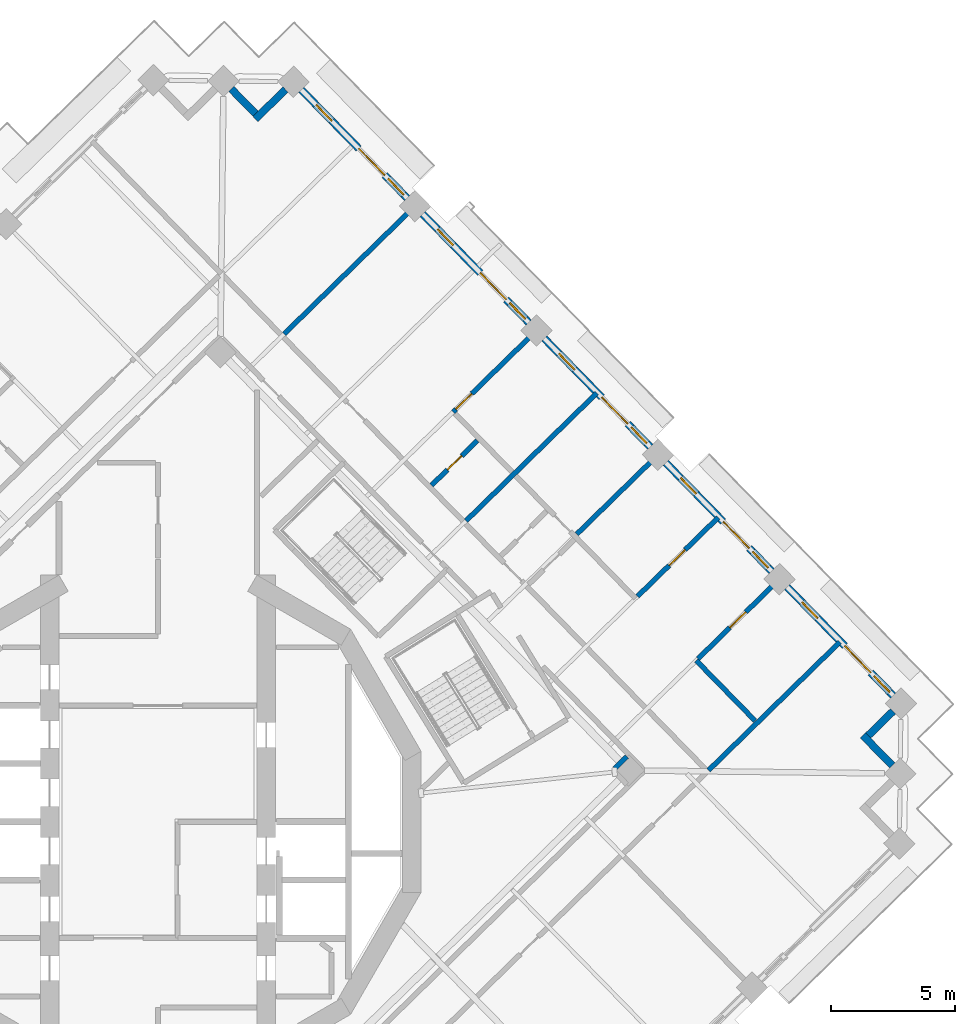
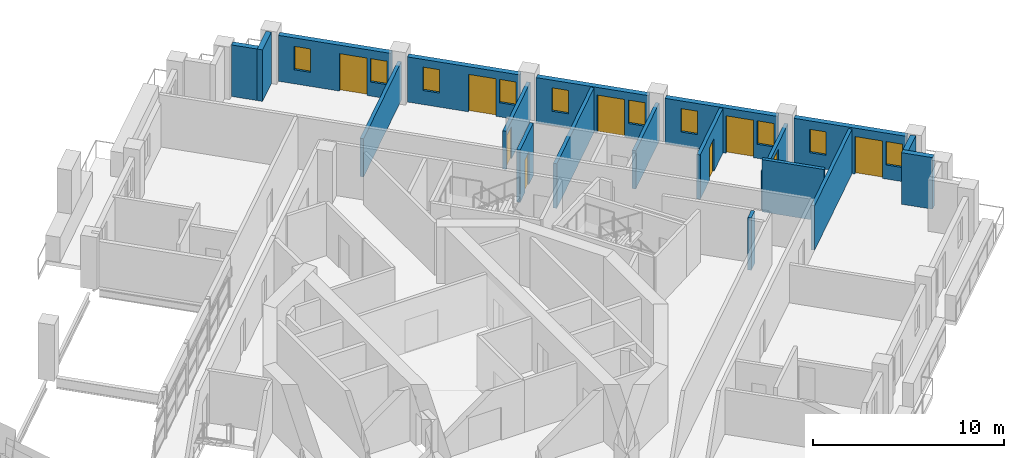
# One storey, part 13 of 21: 19 walls, 10 windows, 9 doors, 19 openings.
"""IFC4 building model written with IfcOpenShell, lengths in metres."""

from ifc_helpers import new_model, si_unit, direction, frame, frame_2d, origin, place, context, subcontext, project, spatial, rectangle, extrude, material, layer, layer_set, type_object, element, fill, save


model = new_model("IFC4")

# Units and contexts
model_context = context("Model", 3, precision=1e-05, world=origin(), true_north=direction((0.0, 1.0)))
body_context = subcontext(model_context, "Body", "Model", "MODEL_VIEW")
ifc_project = project(units=[si_unit("LENGTHUNIT", "METRE"), si_unit("AREAUNIT", "SQUARE_METRE"), si_unit("VOLUMEUNIT", "CUBIC_METRE"), si_unit("PLANEANGLEUNIT", "RADIAN"), si_unit("MASSUNIT", "GRAM", prefix="KILO")], contexts=[model_context])

# Site, building, storey
site_placement = place(None, origin())
site = spatial("IfcSite", under=ifc_project, at=site_placement, CompositionType="ELEMENT")
building_placement = place(site_placement, origin())
building = spatial("IfcBuilding", under=site, at=building_placement, Name="Cantera Rosa Tower", CompositionType="ELEMENT")
storey_placement = place(building_placement, frame((0.0, 0.0, 234.199951171875)))
storey = spatial("IfcBuildingStorey", under=building, at=storey_placement, Name="L51", CompositionType="ELEMENT", Elevation=234.199951171875)

# Walls
ifc_material_1 = material(Name="Hollow clay masonry with cantera stone cladding", Category="masonry")
ifc_layer_1 = layer(ifc_material_1, 0.300048828125)
ifc_layer_set_1 = layer_set([ifc_layer_1], Name="EW-LOGGIA 300")
wall_type_1 = type_object("IfcWallType", Name="EW-LOGGIA 300", PredefinedType="SOLIDWALL", material=ifc_layer_set_1)
wall_1_placement = place(storey_placement, frame((5.15283203125, 29.56982421875, 0.0), z_axis=(0.0, 0.0, 1.0), x_axis=(-0.715316077832, -0.69880105094, 0.0)))
element("IfcWall", 1, at=wall_1_placement, inside=storey, type_object=wall_type_1, Name="EN-L51-W05a", PredefinedType="SOLIDWALL", context=body_context, shape_type="SweptSolid", body=[
    extrude(rectangle(XDim=1.699951171875, YDim=0.300048828125, at=frame_2d((0.85009765625, 0.0))), origin(), (0.0, 0.0, 1.0), 3.300048828125),
])
wall_2_placement = place(storey_placement, frame((3.939208984375, 28.593994140625, 0.0), z_axis=(0.0, 0.0, 1.0), x_axis=(-0.698861982187, 0.715256548278, 0.0)))
element("IfcWall", 2, at=wall_2_placement, inside=storey, type_object=wall_type_1, Name="EN-L51-W05b", PredefinedType="SOLIDWALL", context=body_context, shape_type="SweptSolid", body=[
    extrude(rectangle(XDim=1.39990234375, YDim=0.300048828125, at=frame_2d((0.699951171875, 0.0))), origin(), (0.0, 0.0, 1.0), 3.300048828125),
])
wall_3_placement = place(storey_placement, frame((29.65625, 2.271484375, 0.0), z_axis=(0.0, 0.0, 1.0), x_axis=(-0.698872839675, 0.715245939495, 0.0)))
element("IfcWall", 3, at=wall_3_placement, inside=storey, type_object=wall_type_1, Name="EN-L51-W27a", PredefinedType="SOLIDWALL", context=body_context, shape_type="SweptSolid", body=[
    extrude(rectangle(XDim=1.699951171875, YDim=0.300048828125, at=frame_2d((0.85009765625, 0.0))), origin(), (0.0, 0.0, 1.0), 3.300048828125),
])
wall_4_placement = place(storey_placement, frame((28.680419921875, 3.48486328125, 0.0), z_axis=(0.0, 0.0, 1.0), x_axis=(0.71516937164, 0.698951192766, 0.0)))
element("IfcWall", 4, at=wall_4_placement, inside=storey, type_object=wall_type_1, Name="EN-L51-W27b", PredefinedType="SOLIDWALL", context=body_context, shape_type="SweptSolid", body=[
    extrude(rectangle(XDim=1.39990234375, YDim=0.300048828125, at=frame_2d((0.699951171875, 0.0))), origin(), (0.0, 0.0, 1.0), 3.300048828125),
])

# Wall, openings, windows, door
ifc_material_2 = material(Name="Hollow clay masonry with cantera stone cladding", Category="masonry")
ifc_layer_2 = layer(ifc_material_2, 0.300048828125)
ifc_layer_set_2 = layer_set([ifc_layer_2], Name="EW-LOGGIA 300 H2890")
wall_type_2 = type_object("IfcWallType", Name="EW-LOGGIA 300 H2890", PredefinedType="SOLIDWALL", material=ifc_layer_set_2)
wall_5_placement = place(storey_placement, frame((24.783203125, 10.120849609375, 0.0), z_axis=(0.0, 0.0, 1.0), x_axis=(-0.698800768177, 0.715316354067, 0.0)))
wall_5 = element("IfcWall", 5, at=wall_5_placement, inside=storey, type_object=wall_type_2, Name="EN-L51-W01", PredefinedType="SOLIDWALL", context=body_context, shape_type="SweptSolid", body=[
    extrude(rectangle(XDim=6.119873046875, YDim=0.300048828125, at=frame_2d((3.06005859375, 0.0))), origin(), (0.0, 0.0, 1.0), 2.89013671875),
])
opening_1_placement = place(wall_5_placement, frame((0.199951171875, 0.0, 0.89990234375)))
opening_1 = element("IfcOpeningElement", 6, at=opening_1_placement, cuts=wall_5, Name="Opening L51-W01", PredefinedType="OPENING", context=body_context, shape_type="SweptSolid", body=[
    extrude(rectangle(XDim=0.89990234375, YDim=1.5, at=frame_2d((0.449951171875, 0.75))), frame((0.0, 0.159912109375, 0.0), z_axis=(0.0, -1.0, 0.0), x_axis=(1.0, 0.0, 0.0)), (0.0, 0.0, 1.0), 0.320068359375),
])
opening_2_placement = place(wall_5_placement, frame((1.300048828125, 0.0, 0.0)))
opening_2 = element("IfcOpeningElement", 7, at=opening_2_placement, cuts=wall_5, Name="Opening L51-TD02", PredefinedType="OPENING", context=body_context, shape_type="SweptSolid", body=[
    extrude(rectangle(XDim=1.5, YDim=2.39990234375, at=frame_2d((0.75, 1.199951171875))), frame((0.0, 0.159912109375, 0.0), z_axis=(0.0, -1.0, 0.0), x_axis=(1.0, 0.0, 0.0)), (0.0, 0.0, 1.0), 0.320068359375),
])
opening_3_placement = place(wall_5_placement, frame((4.364990234375, 0.0, 0.89990234375)))
opening_3 = element("IfcOpeningElement", 8, at=opening_3_placement, cuts=wall_5, Name="Opening L51-W03", PredefinedType="OPENING", context=body_context, shape_type="SweptSolid", body=[
    extrude(rectangle(XDim=0.89990234375, YDim=1.5, at=frame_2d((0.449951171875, 0.75))), frame((0.0, 0.159912109375, 0.0), z_axis=(0.0, -1.0, 0.0), x_axis=(1.0, 0.0, 0.0)), (0.0, 0.0, 1.0), 0.320068359375),
])
ifc_material_3 = material(Name="Aluminium frame with clear glass", Category="aluminium")
window_type = type_object("IfcWindowType", Name="Residential window 900x1500", PartitioningType="SINGLE_PANEL", PredefinedType="WINDOW", material=ifc_material_3)
window_1_placement = place(opening_1_placement, origin())
window_1 = element("IfcWindow", 9, at=window_1_placement, inside=storey, type_object=window_type, Name="WINDOW L51-W01", OverallHeight=1.5, OverallWidth=0.89990234375, PartitioningType="SINGLE_PANEL", PredefinedType="WINDOW", context=body_context, shape_type="SweptSolid", body=[
    extrude(rectangle(XDim=0.89990234375, YDim=1.5, at=frame_2d((0.449951171875, 0.75))), frame((0.0, 0.030029296875, 0.0), z_axis=(0.0, -1.0, 0.0), x_axis=(1.0, 0.0, 0.0)), (0.0, 0.0, 1.0), 0.06005859375),
])
fill(opening_1, window_1)
window_2_placement = place(opening_3_placement, origin())
window_2 = element("IfcWindow", 10, at=window_2_placement, inside=storey, type_object=window_type, Name="WINDOW L51-W03", OverallHeight=1.5, OverallWidth=0.89990234375, PartitioningType="SINGLE_PANEL", PredefinedType="WINDOW", context=body_context, shape_type="SweptSolid", body=[
    extrude(rectangle(XDim=0.89990234375, YDim=1.5, at=frame_2d((0.449951171875, 0.75))), frame((0.0, 0.030029296875, 0.0), z_axis=(0.0, -1.0, 0.0), x_axis=(1.0, 0.0, 0.0)), (0.0, 0.0, 1.0), 0.06005859375),
])
fill(opening_3, window_2)
ifc_material_4 = material(Name="Aluminium frame with clear glass", Category="aluminium")
door_type_1 = type_object("IfcDoorType", Name="TD-R 1500x2400", OperationType="NOTDEFINED", PredefinedType="DOOR", material=ifc_material_4)
door_1_placement = place(opening_2_placement, origin())
door_1 = element("IfcDoor", 11, at=door_1_placement, inside=storey, type_object=door_type_1, Name="LOGGIA DOOR L51-TD02", OperationType="SLIDING_TO_LEFT", OverallHeight=2.39990234375, OverallWidth=1.5, PredefinedType="DOOR", context=body_context, shape_type="SweptSolid", body=[
    extrude(rectangle(XDim=1.5, YDim=2.39990234375, at=frame_2d((0.75, 1.199951171875))), frame((0.0, 0.02490234375, 0.0), z_axis=(0.0, -1.0, 0.0), x_axis=(1.0, 0.0, 0.0)), (0.0, 0.0, 1.0), 0.050048828125),
])
fill(opening_2, door_1)

wall_6_placement = place(storey_placement, frame((19.87744140625, 15.142333984375, 0.0), z_axis=(0.0, 0.0, 1.0), x_axis=(-0.698841120217, 0.71527693147, 0.0)))
wall_6 = element("IfcWall", 12, at=wall_6_placement, inside=storey, type_object=wall_type_2, Name="EN-L51-W02", PredefinedType="SOLIDWALL", context=body_context, shape_type="SweptSolid", body=[
    extrude(rectangle(XDim=6.119873046875, YDim=0.300048828125, at=frame_2d((3.06005859375, 0.0))), origin(), (0.0, 0.0, 1.0), 2.89013671875),
])
opening_4_placement = place(wall_6_placement, frame((0.199951171875, 0.0, 0.89990234375)))
opening_4 = element("IfcOpeningElement", 13, at=opening_4_placement, cuts=wall_6, Name="Opening L51-W04", PredefinedType="OPENING", context=body_context, shape_type="SweptSolid", body=[
    extrude(rectangle(XDim=0.89990234375, YDim=1.5, at=frame_2d((0.449951171875, 0.75))), frame((0.0, 0.159912109375, 0.0), z_axis=(0.0, -1.0, 0.0), x_axis=(1.0, 0.0, 0.0)), (0.0, 0.0, 1.0), 0.320068359375),
])
opening_5_placement = place(wall_6_placement, frame((1.300048828125, 0.0, 0.0)))
opening_5 = element("IfcOpeningElement", 14, at=opening_5_placement, cuts=wall_6, Name="Opening L51-TD05", PredefinedType="OPENING", context=body_context, shape_type="SweptSolid", body=[
    extrude(rectangle(XDim=1.5, YDim=2.39990234375, at=frame_2d((0.75, 1.199951171875))), frame((0.0, 0.159912109375, 0.0), z_axis=(0.0, -1.0, 0.0), x_axis=(1.0, 0.0, 0.0)), (0.0, 0.0, 1.0), 0.320068359375),
])
opening_6_placement = place(wall_6_placement, frame((4.364990234375, 0.0, 0.89990234375)))
opening_6 = element("IfcOpeningElement", 15, at=opening_6_placement, cuts=wall_6, Name="Opening L51-W06", PredefinedType="OPENING", context=body_context, shape_type="SweptSolid", body=[
    extrude(rectangle(XDim=0.89990234375, YDim=1.5, at=frame_2d((0.449951171875, 0.75))), frame((0.0, 0.159912109375, 0.0), z_axis=(0.0, -1.0, 0.0), x_axis=(1.0, 0.0, 0.0)), (0.0, 0.0, 1.0), 0.320068359375),
])
window_3_placement = place(opening_4_placement, origin())
window_3 = element("IfcWindow", 16, at=window_3_placement, inside=storey, type_object=window_type, Name="WINDOW L51-W04", OverallHeight=1.5, OverallWidth=0.89990234375, PartitioningType="SINGLE_PANEL", PredefinedType="WINDOW", context=body_context, shape_type="SweptSolid", body=[
    extrude(rectangle(XDim=0.89990234375, YDim=1.5, at=frame_2d((0.449951171875, 0.75))), frame((0.0, 0.030029296875, 0.0), z_axis=(0.0, -1.0, 0.0), x_axis=(1.0, 0.0, 0.0)), (0.0, 0.0, 1.0), 0.06005859375),
])
fill(opening_4, window_3)
window_4_placement = place(opening_6_placement, origin())
window_4 = element("IfcWindow", 17, at=window_4_placement, inside=storey, type_object=window_type, Name="WINDOW L51-W06", OverallHeight=1.5, OverallWidth=0.89990234375, PartitioningType="SINGLE_PANEL", PredefinedType="WINDOW", context=body_context, shape_type="SweptSolid", body=[
    extrude(rectangle(XDim=0.89990234375, YDim=1.5, at=frame_2d((0.449951171875, 0.75))), frame((0.0, 0.030029296875, 0.0), z_axis=(0.0, -1.0, 0.0), x_axis=(1.0, 0.0, 0.0)), (0.0, 0.0, 1.0), 0.06005859375),
])
fill(opening_6, window_4)
door_2_placement = place(opening_5_placement, origin())
door_2 = element("IfcDoor", 18, at=door_2_placement, inside=storey, type_object=door_type_1, Name="LOGGIA DOOR L51-TD05", OperationType="SLIDING_TO_LEFT", OverallHeight=2.39990234375, OverallWidth=1.5, PredefinedType="DOOR", context=body_context, shape_type="SweptSolid", body=[
    extrude(rectangle(XDim=1.5, YDim=2.39990234375, at=frame_2d((0.75, 1.199951171875))), frame((0.0, 0.02490234375, 0.0), z_axis=(0.0, -1.0, 0.0), x_axis=(1.0, 0.0, 0.0)), (0.0, 0.0, 1.0), 0.050048828125),
])
fill(opening_5, door_2)

wall_7_placement = place(storey_placement, frame((14.9716796875, 20.16357421875, 0.0), z_axis=(0.0, 0.0, 1.0), x_axis=(-0.698841120217, 0.71527693147, 0.0)))
wall_7 = element("IfcWall", 19, at=wall_7_placement, inside=storey, type_object=wall_type_2, Name="EN-L51-W03", PredefinedType="SOLIDWALL", context=body_context, shape_type="SweptSolid", body=[
    extrude(rectangle(XDim=6.119873046875, YDim=0.300048828125, at=frame_2d((3.06005859375, 0.0))), origin(), (0.0, 0.0, 1.0), 2.89013671875),
])
opening_7_placement = place(wall_7_placement, frame((0.199951171875, 0.0, 0.89990234375)))
opening_7 = element("IfcOpeningElement", 20, at=opening_7_placement, cuts=wall_7, Name="Opening L51-W07", PredefinedType="OPENING", context=body_context, shape_type="SweptSolid", body=[
    extrude(rectangle(XDim=0.89990234375, YDim=1.5, at=frame_2d((0.449951171875, 0.75))), frame((0.0, 0.159912109375, 0.0), z_axis=(0.0, -1.0, 0.0), x_axis=(1.0, 0.0, 0.0)), (0.0, 0.0, 1.0), 0.320068359375),
])
opening_8_placement = place(wall_7_placement, frame((1.300048828125, 0.0, 0.0)))
opening_8 = element("IfcOpeningElement", 21, at=opening_8_placement, cuts=wall_7, Name="Opening L51-TD08", PredefinedType="OPENING", context=body_context, shape_type="SweptSolid", body=[
    extrude(rectangle(XDim=1.5, YDim=2.39990234375, at=frame_2d((0.75, 1.199951171875))), frame((0.0, 0.159912109375, 0.0), z_axis=(0.0, -1.0, 0.0), x_axis=(1.0, 0.0, 0.0)), (0.0, 0.0, 1.0), 0.320068359375),
])
opening_9_placement = place(wall_7_placement, frame((4.364990234375, 0.0, 0.89990234375)))
opening_9 = element("IfcOpeningElement", 22, at=opening_9_placement, cuts=wall_7, Name="Opening L51-W09", PredefinedType="OPENING", context=body_context, shape_type="SweptSolid", body=[
    extrude(rectangle(XDim=0.89990234375, YDim=1.5, at=frame_2d((0.449951171875, 0.75))), frame((0.0, 0.159912109375, 0.0), z_axis=(0.0, -1.0, 0.0), x_axis=(1.0, 0.0, 0.0)), (0.0, 0.0, 1.0), 0.320068359375),
])
window_5_placement = place(opening_7_placement, origin())
window_5 = element("IfcWindow", 23, at=window_5_placement, inside=storey, type_object=window_type, Name="WINDOW L51-W07", OverallHeight=1.5, OverallWidth=0.89990234375, PartitioningType="SINGLE_PANEL", PredefinedType="WINDOW", context=body_context, shape_type="SweptSolid", body=[
    extrude(rectangle(XDim=0.89990234375, YDim=1.5, at=frame_2d((0.449951171875, 0.75))), frame((0.0, 0.030029296875, 0.0), z_axis=(0.0, -1.0, 0.0), x_axis=(1.0, 0.0, 0.0)), (0.0, 0.0, 1.0), 0.06005859375),
])
fill(opening_7, window_5)
window_6_placement = place(opening_9_placement, origin())
window_6 = element("IfcWindow", 24, at=window_6_placement, inside=storey, type_object=window_type, Name="WINDOW L51-W09", OverallHeight=1.5, OverallWidth=0.89990234375, PartitioningType="SINGLE_PANEL", PredefinedType="WINDOW", context=body_context, shape_type="SweptSolid", body=[
    extrude(rectangle(XDim=0.89990234375, YDim=1.5, at=frame_2d((0.449951171875, 0.75))), frame((0.0, 0.030029296875, 0.0), z_axis=(0.0, -1.0, 0.0), x_axis=(1.0, 0.0, 0.0)), (0.0, 0.0, 1.0), 0.06005859375),
])
fill(opening_9, window_6)
door_3_placement = place(opening_8_placement, origin())
door_3 = element("IfcDoor", 25, at=door_3_placement, inside=storey, type_object=door_type_1, Name="LOGGIA DOOR L51-TD08", OperationType="SLIDING_TO_LEFT", OverallHeight=2.39990234375, OverallWidth=1.5, PredefinedType="DOOR", context=body_context, shape_type="SweptSolid", body=[
    extrude(rectangle(XDim=1.5, YDim=2.39990234375, at=frame_2d((0.75, 1.199951171875))), frame((0.0, 0.02490234375, 0.0), z_axis=(0.0, -1.0, 0.0), x_axis=(1.0, 0.0, 0.0)), (0.0, 0.0, 1.0), 0.050048828125),
])
fill(opening_8, door_3)

ifc_material_5 = material(Name="Hollow clay masonry with cantera stone cladding", Category="masonry")
ifc_layer_3 = layer(ifc_material_5, 0.300048828125)
ifc_layer_set_3 = layer_set([ifc_layer_3], Name="EW-LOGGIA 300 H2940")
wall_type_3 = type_object("IfcWallType", Name="EW-LOGGIA 300 H2940", PredefinedType="SOLIDWALL", material=ifc_layer_set_3)
wall_8_placement = place(storey_placement, frame((10.06591796875, 25.184814453125, 0.0), z_axis=(0.0, 0.0, 1.0), x_axis=(-0.69882117953, 0.715296413412, 0.0)))
wall_8 = element("IfcWall", 26, at=wall_8_placement, inside=storey, type_object=wall_type_3, Name="EN-L51-W04", PredefinedType="SOLIDWALL", context=body_context, shape_type="SweptSolid", body=[
    extrude(rectangle(XDim=6.1201171875, YDim=0.300048828125, at=frame_2d((3.06005859375, 0.0))), origin(), (0.0, 0.0, 1.0), 2.93994140625),
])
opening_10_placement = place(wall_8_placement, frame((0.199951171875, 0.0, 0.89990234375)))
opening_10 = element("IfcOpeningElement", 27, at=opening_10_placement, cuts=wall_8, Name="Opening L51-W10", PredefinedType="OPENING", context=body_context, shape_type="SweptSolid", body=[
    extrude(rectangle(XDim=0.89990234375, YDim=1.5, at=frame_2d((0.449951171875, 0.75))), frame((0.0, 0.159912109375, 0.0), z_axis=(0.0, -1.0, 0.0), x_axis=(1.0, 0.0, 0.0)), (0.0, 0.0, 1.0), 0.320068359375),
])
opening_11_placement = place(wall_8_placement, frame((1.300048828125, 0.0, 0.0)))
opening_11 = element("IfcOpeningElement", 28, at=opening_11_placement, cuts=wall_8, Name="Opening L51-TD11", PredefinedType="OPENING", context=body_context, shape_type="SweptSolid", body=[
    extrude(rectangle(XDim=1.5, YDim=2.39990234375, at=frame_2d((0.75, 1.199951171875))), frame((0.0, 0.159912109375, 0.0), z_axis=(0.0, -1.0, 0.0), x_axis=(1.0, 0.0, 0.0)), (0.0, 0.0, 1.0), 0.320068359375),
])
opening_12_placement = place(wall_8_placement, frame((4.364990234375, 0.0, 0.89990234375)))
opening_12 = element("IfcOpeningElement", 29, at=opening_12_placement, cuts=wall_8, Name="Opening L51-W12", PredefinedType="OPENING", context=body_context, shape_type="SweptSolid", body=[
    extrude(rectangle(XDim=0.89990234375, YDim=1.5, at=frame_2d((0.449951171875, 0.75))), frame((0.0, 0.159912109375, 0.0), z_axis=(0.0, -1.0, 0.0), x_axis=(1.0, 0.0, 0.0)), (0.0, 0.0, 1.0), 0.320068359375),
])
window_7_placement = place(opening_10_placement, origin())
window_7 = element("IfcWindow", 30, at=window_7_placement, inside=storey, type_object=window_type, Name="WINDOW L51-W10", OverallHeight=1.5, OverallWidth=0.89990234375, PartitioningType="SINGLE_PANEL", PredefinedType="WINDOW", context=body_context, shape_type="SweptSolid", body=[
    extrude(rectangle(XDim=0.89990234375, YDim=1.5, at=frame_2d((0.449951171875, 0.75))), frame((0.0, 0.030029296875, 0.0), z_axis=(0.0, -1.0, 0.0), x_axis=(1.0, 0.0, 0.0)), (0.0, 0.0, 1.0), 0.06005859375),
])
fill(opening_10, window_7)
window_8_placement = place(opening_12_placement, origin())
window_8 = element("IfcWindow", 31, at=window_8_placement, inside=storey, type_object=window_type, Name="WINDOW L51-W12", OverallHeight=1.5, OverallWidth=0.89990234375, PartitioningType="SINGLE_PANEL", PredefinedType="WINDOW", context=body_context, shape_type="SweptSolid", body=[
    extrude(rectangle(XDim=0.89990234375, YDim=1.5, at=frame_2d((0.449951171875, 0.75))), frame((0.0, 0.030029296875, 0.0), z_axis=(0.0, -1.0, 0.0), x_axis=(1.0, 0.0, 0.0)), (0.0, 0.0, 1.0), 0.06005859375),
])
fill(opening_12, window_8)
door_4_placement = place(opening_11_placement, origin())
door_4 = element("IfcDoor", 32, at=door_4_placement, inside=storey, type_object=door_type_1, Name="LOGGIA DOOR L51-TD11", OperationType="SLIDING_TO_LEFT", OverallHeight=2.39990234375, OverallWidth=1.5, PredefinedType="DOOR", context=body_context, shape_type="SweptSolid", body=[
    extrude(rectangle(XDim=1.5, YDim=2.39990234375, at=frame_2d((0.75, 1.199951171875))), frame((0.0, 0.02490234375, 0.0), z_axis=(0.0, -1.0, 0.0), x_axis=(1.0, 0.0, 0.0)), (0.0, 0.0, 1.0), 0.050048828125),
])
fill(opening_11, door_4)

wall_9_placement = place(storey_placement, frame((29.689208984375, 5.099609375, 0.0), z_axis=(0.0, 0.0, 1.0), x_axis=(-0.69882117953, 0.715296413412, 0.0)))
wall_9 = element("IfcWall", 33, at=wall_9_placement, inside=storey, type_object=wall_type_3, Name="EN-L51-W28", PredefinedType="SOLIDWALL", context=body_context, shape_type="SweptSolid", body=[
    extrude(rectangle(XDim=6.1201171875, YDim=0.300048828125, at=frame_2d((3.06005859375, 0.0))), origin(), (0.0, 0.0, 1.0), 2.93994140625),
])
opening_13_placement = place(wall_9_placement, frame((0.199951171875, 0.0, 0.89990234375)))
opening_13 = element("IfcOpeningElement", 34, at=opening_13_placement, cuts=wall_9, Name="Opening L51-W52", PredefinedType="OPENING", context=body_context, shape_type="SweptSolid", body=[
    extrude(rectangle(XDim=0.89990234375, YDim=1.5, at=frame_2d((0.449951171875, 0.75))), frame((0.0, 0.159912109375, 0.0), z_axis=(0.0, -1.0, 0.0), x_axis=(1.0, 0.0, 0.0)), (0.0, 0.0, 1.0), 0.320068359375),
])
opening_14_placement = place(wall_9_placement, frame((1.300048828125, 0.0, 0.0)))
opening_14 = element("IfcOpeningElement", 35, at=opening_14_placement, cuts=wall_9, Name="Opening L51-TD53", PredefinedType="OPENING", context=body_context, shape_type="SweptSolid", body=[
    extrude(rectangle(XDim=1.5, YDim=2.39990234375, at=frame_2d((0.75, 1.199951171875))), frame((0.0, 0.159912109375, 0.0), z_axis=(0.0, -1.0, 0.0), x_axis=(1.0, 0.0, 0.0)), (0.0, 0.0, 1.0), 0.320068359375),
])
opening_15_placement = place(wall_9_placement, frame((4.364990234375, 0.0, 0.89990234375)))
opening_15 = element("IfcOpeningElement", 36, at=opening_15_placement, cuts=wall_9, Name="Opening L51-W54", PredefinedType="OPENING", context=body_context, shape_type="SweptSolid", body=[
    extrude(rectangle(XDim=0.89990234375, YDim=1.5, at=frame_2d((0.449951171875, 0.75))), frame((0.0, 0.159912109375, 0.0), z_axis=(0.0, -1.0, 0.0), x_axis=(1.0, 0.0, 0.0)), (0.0, 0.0, 1.0), 0.320068359375),
])
window_9_placement = place(opening_13_placement, origin())
window_9 = element("IfcWindow", 37, at=window_9_placement, inside=storey, type_object=window_type, Name="WINDOW L51-W52", OverallHeight=1.5, OverallWidth=0.89990234375, PartitioningType="SINGLE_PANEL", PredefinedType="WINDOW", context=body_context, shape_type="SweptSolid", body=[
    extrude(rectangle(XDim=0.89990234375, YDim=1.5, at=frame_2d((0.449951171875, 0.75))), frame((0.0, 0.030029296875, 0.0), z_axis=(0.0, -1.0, 0.0), x_axis=(1.0, 0.0, 0.0)), (0.0, 0.0, 1.0), 0.06005859375),
])
fill(opening_13, window_9)
window_10_placement = place(opening_15_placement, origin())
window_10 = element("IfcWindow", 38, at=window_10_placement, inside=storey, type_object=window_type, Name="WINDOW L51-W54", OverallHeight=1.5, OverallWidth=0.89990234375, PartitioningType="SINGLE_PANEL", PredefinedType="WINDOW", context=body_context, shape_type="SweptSolid", body=[
    extrude(rectangle(XDim=0.89990234375, YDim=1.5, at=frame_2d((0.449951171875, 0.75))), frame((0.0, 0.030029296875, 0.0), z_axis=(0.0, -1.0, 0.0), x_axis=(1.0, 0.0, 0.0)), (0.0, 0.0, 1.0), 0.06005859375),
])
fill(opening_15, window_10)
door_5_placement = place(opening_14_placement, origin())
door_5 = element("IfcDoor", 39, at=door_5_placement, inside=storey, type_object=door_type_1, Name="LOGGIA DOOR L51-TD53", OperationType="SLIDING_TO_LEFT", OverallHeight=2.39990234375, OverallWidth=1.5, PredefinedType="DOOR", context=body_context, shape_type="SweptSolid", body=[
    extrude(rectangle(XDim=1.5, YDim=2.39990234375, at=frame_2d((0.75, 1.199951171875))), frame((0.0, 0.02490234375, 0.0), z_axis=(0.0, -1.0, 0.0), x_axis=(1.0, 0.0, 0.0)), (0.0, 0.0, 1.0), 0.050048828125),
])
fill(opening_14, door_5)

# Wall
ifc_material_6 = material(Name="Gypsum board partition")
ifc_layer_4 = layer(ifc_material_6, 0.199951171875)
ifc_layer_set_4 = layer_set([ifc_layer_4], Name="PARTITION 200 H2450")
wall_type_4 = type_object("IfcWallType", Name="PARTITION 200 H2450", PredefinedType="PARTITIONING", material=ifc_layer_set_4)
wall_10_placement = place(storey_placement, frame((5.1015625, 19.70556640625, 0.0), z_axis=(0.0, 0.0, 1.0), x_axis=(0.715280026246, 0.698837952642, 0.0)))
element("IfcWall", 40, at=wall_10_placement, inside=storey, type_object=wall_type_4, Name="PARTITION L51-082", PredefinedType="PARTITIONING", context=body_context, shape_type="SweptSolid", body=[
    extrude(rectangle(XDim=7.35009765625, YDim=0.199951171875, at=frame_2d((3.675048828125, 0.0))), origin(), (0.0, 0.0, 1.0), 2.449951171875),
])

# Wall, opening, door
wall_11_placement = place(storey_placement, frame((11.92431640625, 16.55712890625, 0.0), z_axis=(0.0, 0.0, 1.0), x_axis=(0.715266781779, 0.698851508465, 0.0)))
wall_11 = element("IfcWall", 41, at=wall_11_placement, inside=storey, type_object=wall_type_4, Name="PARTITION L51-103", PredefinedType="PARTITIONING", context=body_context, shape_type="SweptSolid", body=[
    extrude(rectangle(XDim=4.670166015625, YDim=0.199951171875, at=frame_2d((2.3349609375, 0.0))), origin(), (0.0, 0.0, 1.0), 2.449951171875),
])
opening_16_placement = place(wall_11_placement, frame((0.14990234375, 0.0, 0.0)))
opening_16 = element("IfcOpeningElement", 42, at=opening_16_placement, cuts=wall_11, Name="Opening L51-033", PredefinedType="OPENING", context=body_context, shape_type="SweptSolid", body=[
    extrude(rectangle(XDim=0.89990234375, YDim=2.10009765625, at=frame_2d((0.449951171875, 1.050048828125))), frame((0.0, 0.10986328125, 0.0), z_axis=(0.0, -1.0, 0.0), x_axis=(1.0, 0.0, 0.0)), (0.0, 0.0, 1.0), 0.219970703125),
])
ifc_material_7 = material(Name="Timber door leaf", Category="wood")
door_type_2 = type_object("IfcDoorType", Name="ROOM DOOR 900x2100", OperationType="NOTDEFINED", PredefinedType="DOOR", material=ifc_material_7)
door_6_placement = place(opening_16_placement, origin())
door_6 = element("IfcDoor", 43, at=door_6_placement, inside=storey, type_object=door_type_2, Name="DOOR L51-033", OperationType="NOTDEFINED", OverallHeight=2.10009765625, OverallWidth=0.89990234375, PredefinedType="DOOR", context=body_context, shape_type="SweptSolid", body=[
    extrude(rectangle(XDim=0.89990234375, YDim=2.10009765625, at=frame_2d((0.449951171875, 1.050048828125))), frame((0.0, 0.02490234375, 0.0), z_axis=(0.0, -1.0, 0.0), x_axis=(1.0, 0.0, 0.0)), (0.0, 0.0, 1.0), 0.050048828125),
])
fill(opening_16, door_6)

# Wall
wall_12_placement = place(storey_placement, frame((20.17041015625, 14.79931640625, 0.0), z_axis=(0.0, 0.0, 1.0), x_axis=(-0.715268883314, -0.698849357561, 0.0)))
element("IfcWall", 44, at=wall_12_placement, inside=storey, type_object=wall_type_4, Name="PARTITION L51-121", PredefinedType="PARTITIONING", context=body_context, shape_type="SweptSolid", body=[
    extrude(rectangle(XDim=4.5498046875, YDim=0.199951171875, at=frame_2d((2.27490234375, 0.0))), origin(), (0.0, 0.0, 1.0), 2.449951171875),
])

# Wall, opening, door
wall_13_placement = place(storey_placement, frame((25.076416015625, 9.778076171875, 0.0), z_axis=(0.0, 0.0, 1.0), x_axis=(-0.71528612383, -0.698831711541, 0.0)))
wall_13 = element("IfcWall", 45, at=wall_13_placement, inside=storey, type_object=wall_type_4, Name="PARTITION L51-124", PredefinedType="PARTITIONING", context=body_context, shape_type="SweptSolid", body=[
    extrude(rectangle(XDim=4.56982421875, YDim=0.199951171875, at=frame_2d((2.284912109375, 0.0))), origin(), (0.0, 0.0, 1.0), 2.449951171875),
])
opening_17_placement = place(wall_13_placement, frame((1.8701171875, 0.0, 0.0)))
opening_17 = element("IfcOpeningElement", 46, at=opening_17_placement, cuts=wall_13, Name="Opening L51-030", PredefinedType="OPENING", context=body_context, shape_type="SweptSolid", body=[
    extrude(rectangle(XDim=0.89990234375, YDim=2.10009765625, at=frame_2d((0.449951171875, 1.050048828125))), frame((0.0, 0.10986328125, 0.0), z_axis=(0.0, -1.0, 0.0), x_axis=(1.0, 0.0, 0.0)), (0.0, 0.0, 1.0), 0.219970703125),
])
door_7_placement = place(opening_17_placement, origin())
door_7 = element("IfcDoor", 47, at=door_7_placement, inside=storey, type_object=door_type_2, Name="DOOR L51-030", OperationType="NOTDEFINED", OverallHeight=2.10009765625, OverallWidth=0.89990234375, PredefinedType="DOOR", context=body_context, shape_type="SweptSolid", body=[
    extrude(rectangle(XDim=0.89990234375, YDim=2.10009765625, at=frame_2d((0.449951171875, 1.050048828125))), frame((0.0, 0.02490234375, 0.0), z_axis=(0.0, -1.0, 0.0), x_axis=(1.0, 0.0, 0.0)), (0.0, 0.0, 1.0), 0.050048828125),
])
fill(opening_17, door_7)

ifc_material_8 = material(Name="Gypsum board partition")
ifc_layer_5 = layer(ifc_material_8, 0.199951171875)
ifc_layer_set_5 = layer_set([ifc_layer_5], Name="PARTITION 200 H2850")
wall_type_5 = type_object("IfcWallType", Name="PARTITION 200 H2850", PredefinedType="PARTITIONING", material=ifc_layer_set_5)
wall_14_placement = place(storey_placement, frame((22.623291015625, 12.288818359375, 0.0), z_axis=(0.0, 0.0, 1.0), x_axis=(-0.715268883314, -0.698849357561, 0.0)))
wall_14 = element("IfcWall", 48, at=wall_14_placement, inside=storey, type_object=wall_type_5, Name="PARTITION L51-123", PredefinedType="PARTITIONING", context=body_context, shape_type="SweptSolid", body=[
    extrude(rectangle(XDim=4.5498046875, YDim=0.199951171875, at=frame_2d((2.27490234375, 0.0))), origin(), (0.0, 0.0, 1.0), 2.85009765625),
])
opening_18_placement = place(wall_14_placement, frame((1.8701171875, 0.0, 0.0)))
opening_18 = element("IfcOpeningElement", 49, at=opening_18_placement, cuts=wall_14, Name="Opening L51-029", PredefinedType="OPENING", context=body_context, shape_type="SweptSolid", body=[
    extrude(rectangle(XDim=0.89990234375, YDim=2.10009765625, at=frame_2d((0.449951171875, 1.050048828125))), frame((0.0, 0.10986328125, 0.0), z_axis=(0.0, -1.0, 0.0), x_axis=(1.0, 0.0, 0.0)), (0.0, 0.0, 1.0), 0.219970703125),
])
door_8_placement = place(opening_18_placement, origin())
door_8 = element("IfcDoor", 50, at=door_8_placement, inside=storey, type_object=door_type_2, Name="DOOR L51-029", OperationType="NOTDEFINED", OverallHeight=2.10009765625, OverallWidth=0.89990234375, PredefinedType="DOOR", context=body_context, shape_type="SweptSolid", body=[
    extrude(rectangle(XDim=0.89990234375, YDim=2.10009765625, at=frame_2d((0.449951171875, 1.050048828125))), frame((0.0, 0.02490234375, 0.0), z_axis=(0.0, -1.0, 0.0), x_axis=(1.0, 0.0, 0.0)), (0.0, 0.0, 1.0), 0.050048828125),
])
fill(opening_18, door_8)

ifc_material_9 = material(Name="Gypsum board partition")
ifc_layer_6 = layer(ifc_material_9, 0.199951171875)
ifc_layer_set_6 = layer_set([ifc_layer_6], Name="PARTITION 200 H3350")
wall_type_6 = type_object("IfcWallType", Name="PARTITION 200 H3350", PredefinedType="PARTITIONING", material=ifc_layer_set_6)
wall_15_placement = place(storey_placement, frame((11.04833984375, 13.590087890625, 0.0), z_axis=(0.0, 0.0, 1.0), x_axis=(0.715244172938, 0.698874647615, 0.0)))
wall_15 = element("IfcWall", 51, at=wall_15_placement, inside=storey, type_object=wall_type_6, Name="PARTITION L51-099", PredefinedType="PARTITIONING", context=body_context, shape_type="SweptSolid", body=[
    extrude(rectangle(XDim=2.580078125, YDim=0.199951171875, at=frame_2d((1.2900390625, 0.0))), origin(), (0.0, 0.0, 1.0), 3.35009765625),
])
opening_19_placement = place(wall_15_placement, frame((0.89990234375, 0.0, 0.0)))
opening_19 = element("IfcOpeningElement", 52, at=opening_19_placement, cuts=wall_15, Name="Opening L51-032", PredefinedType="OPENING", context=body_context, shape_type="SweptSolid", body=[
    extrude(rectangle(XDim=0.800048828125, YDim=2.10009765625, at=frame_2d((0.39990234375, 1.050048828125))), frame((0.0, 0.10986328125, 0.0), z_axis=(0.0, -1.0, 0.0), x_axis=(1.0, 0.0, 0.0)), (0.0, 0.0, 1.0), 0.219970703125),
])
ifc_material_10 = material(Name="Timber door leaf", Category="wood")
door_type_3 = type_object("IfcDoorType", Name="BATHROOM DOOR 800x2100", OperationType="NOTDEFINED", PredefinedType="DOOR", material=ifc_material_10)
door_9_placement = place(opening_19_placement, origin())
door_9 = element("IfcDoor", 53, at=door_9_placement, inside=storey, type_object=door_type_3, Name="DOOR L51-032", OperationType="NOTDEFINED", OverallHeight=2.10009765625, OverallWidth=0.800048828125, PredefinedType="DOOR", context=body_context, shape_type="SweptSolid", body=[
    extrude(rectangle(XDim=0.800048828125, YDim=2.10009765625, at=frame_2d((0.39990234375, 1.050048828125))), frame((0.0, 0.02490234375, 0.0), z_axis=(0.0, -1.0, 0.0), x_axis=(1.0, 0.0, 0.0)), (0.0, 0.0, 1.0), 0.050048828125),
])
fill(opening_19, door_9)

# Walls
wall_16_placement = place(storey_placement, frame((18.932861328125, 2.62939453125, 0.0), z_axis=(0.0, 0.0, 1.0), x_axis=(-0.715493021556, -0.698619879552, 0.0)))
element("IfcWall", 54, at=wall_16_placement, inside=storey, type_object=wall_type_6, Name="PARTITION L51-119", PredefinedType="PARTITIONING", context=body_context, shape_type="SweptSolid", body=[
    extrude(rectangle(XDim=0.679931640625, YDim=0.199951171875, at=frame_2d((0.33984375, 0.0))), origin(), (0.0, 0.0, 1.0), 3.35009765625),
])
wall_17_placement = place(storey_placement, frame((21.736083984375, 6.514404296875, 0.0), z_axis=(0.0, 0.0, 1.0), x_axis=(0.698836944344, -0.715281011366, 0.0)))
element("IfcWall", 55, at=wall_17_placement, inside=storey, type_object=wall_type_6, Name="PARTITION L51-122", PredefinedType="PARTITIONING", context=body_context, shape_type="SweptSolid", body=[
    extrude(rectangle(XDim=3.39990234375, YDim=0.199951171875, at=frame_2d((1.699951171875, 0.0))), origin(), (0.0, 0.0, 1.0), 3.35009765625),
])
ifc_material_11 = material(Name="Gypsum board partition")
ifc_layer_7 = layer(ifc_material_11, 0.199951171875)
ifc_layer_set_7 = layer_set([ifc_layer_7], Name="PARTY WALL 200 H2850")
wall_type_7 = type_object("IfcWallType", Name="PARTY WALL 200 H2850", PredefinedType="PARTITIONING", material=ifc_layer_set_7)
wall_18_placement = place(storey_placement, frame((12.446044921875, 12.15966796875, 0.0), z_axis=(0.0, 0.0, 1.0), x_axis=(0.715274508116, 0.698843600557, 0.0)))
element("IfcWall", 56, at=wall_18_placement, inside=storey, type_object=wall_type_7, Name="PARTY WALL L51-108", PredefinedType="PARTITIONING", context=body_context, shape_type="SweptSolid", body=[
    extrude(rectangle(XDim=7.369873046875, YDim=0.199951171875, at=frame_2d((3.68505859375, 0.0))), origin(), (0.0, 0.0, 1.0), 2.85009765625),
])
wall_19_placement = place(storey_placement, frame((27.5361328125, 7.26025390625, 0.0), z_axis=(0.0, 0.0, 1.0), x_axis=(-0.715263182614, -0.698855192152, 0.0)))
element("IfcWall", 57, at=wall_19_placement, inside=storey, type_object=wall_type_7, Name="PARTY WALL L51-125", PredefinedType="PARTITIONING", context=body_context, shape_type="SweptSolid", body=[
    extrude(rectangle(XDim=7.409912109375, YDim=0.199951171875, at=frame_2d((3.705078125, 0.0))), origin(), (0.0, 0.0, 1.0), 2.85009765625),
])

save(model, "model.ifc")
